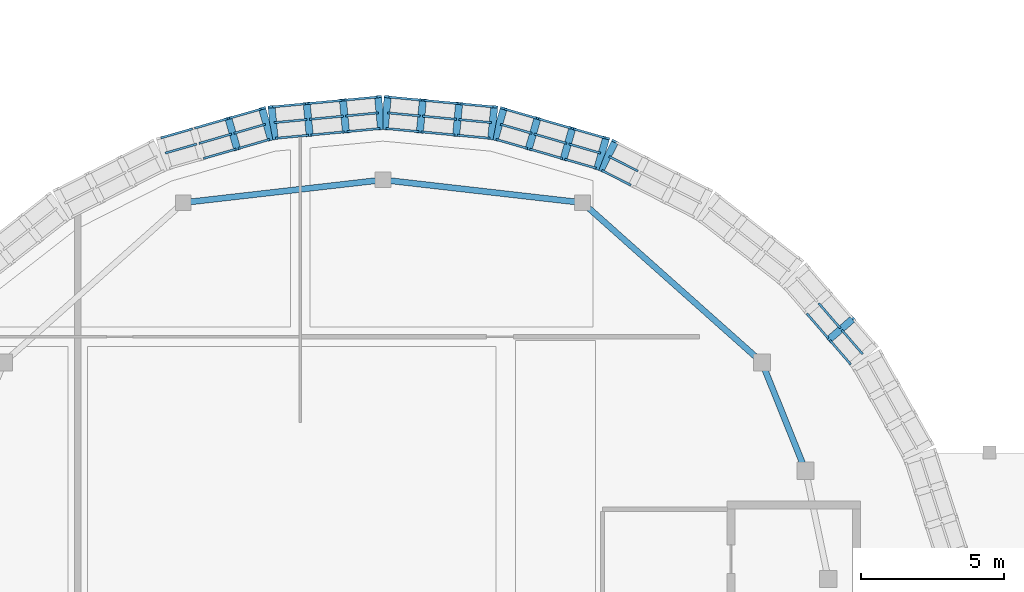
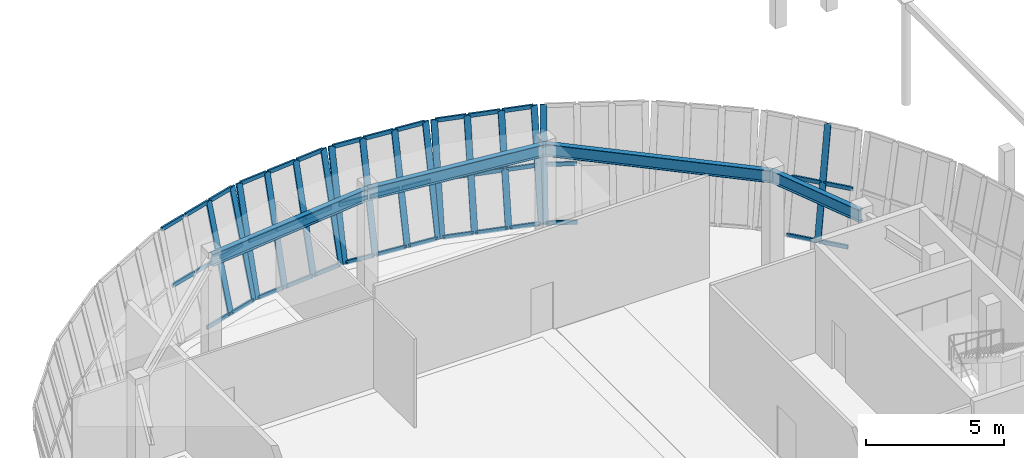
# One storey, part 28 of 120: 57 members, 4 beams, 6 elements without a shape of their own.
"""IFC4 building model written with IfcOpenShell, lengths in metres."""

from ifc_helpers import new_model, si_unit, direction, frame, origin, origin_2d, place, context, subcontext, project, spatial, rectangle, i_section, extrude, material, material_profile, profile_set, type_object, element, aggregate, save


model = new_model("IFC4")

# Units and contexts
model_context = context("Model", 3, precision=1e-05, world=origin(), true_north=direction((0.0, 1.0)))
body_context = subcontext(model_context, "Body", "Model", "MODEL_VIEW")
ifc_project = project(units=[si_unit("LENGTHUNIT", "METRE"), si_unit("AREAUNIT", "SQUARE_METRE"), si_unit("VOLUMEUNIT", "CUBIC_METRE"), si_unit("PLANEANGLEUNIT", "RADIAN"), si_unit("MASSUNIT", "GRAM", prefix="KILO")], contexts=[model_context])

# Site, building, storey
site_placement = place(None, origin())
site = spatial("IfcSite", under=ifc_project, at=site_placement, CompositionType="ELEMENT")
building_placement = place(site_placement, origin())
building = spatial("IfcBuilding", under=site, at=building_placement, Name="Corveleigh Park Community Centre", CompositionType="ELEMENT")
storey_placement = place(building_placement, origin())
storey = spatial("IfcBuildingStorey", under=building, at=storey_placement, Name="L00", CompositionType="ELEMENT", Elevation=0.0)

# Beams
ifc_material_1 = material(Name="Steel S355", Category="steel")
ifc_material_profile_1 = material_profile(ifc_material_1, i_section(OverallWidth=0.210693359375, OverallDepth=0.53955078125, WebThickness=0.01171875, FlangeThickness=0.018798828125, at=origin_2d()), Name="UKB 533x210x109", Category="steel")
ifc_profile_set_1 = profile_set([ifc_material_profile_1], Name="Steel S355")
beam_type = type_object("IfcBeamType", Name="BM-STL-UKB533x109", PredefinedType="BEAM", material=ifc_profile_set_1)
beam_1_placement = place(storey_placement, frame((45.817138671875, 34.404541015625, 4.2421875), z_axis=(-0.373254520888, 0.927728981242, 0.0), x_axis=(-0.927728981242, -0.373254520888, 0.0)))
element("IfcBeam", 1, at=beam_1_placement, inside=storey, type_object=beam_type, Name="V1 Drum Ring Girder", PredefinedType="BEAM", context=body_context, shape_type="SweptSolid", body=[
    extrude(i_section(OverallWidth=0.210693359375, OverallDepth=0.53955078125, WebThickness=0.01171875, FlangeThickness=0.018798828125, at=origin_2d()), origin(), (0.0, 0.0, 1.0), 4.086181640625),
])
beam_2_placement = place(storey_placement, frame((44.286376953125, 38.203369140625, 4.2421875), z_axis=(-0.746899880609, 0.664936514523, 0.0), x_axis=(-0.664936514523, -0.746899880609, 0.0)))
element("IfcBeam", 2, at=beam_2_placement, inside=storey, type_object=beam_type, Name="V1 Drum Ring Girder", PredefinedType="BEAM", context=body_context, shape_type="SweptSolid", body=[
    extrude(i_section(OverallWidth=0.210693359375, OverallDepth=0.53955078125, WebThickness=0.01171875, FlangeThickness=0.018798828125, at=origin_2d()), origin(), (0.0, 0.0, 1.0), 8.41162109375),
])
for number, where, z_axis, x_axis, name in (
    (3, (37.9951171875, 43.800537109375, 4.2421875), (-0.993533567391, 0.113538761962, 0.0), (-0.113538761962, -0.993533567391, 0.0), "V1 Drum Ring Girder"),
    (4, (30.9951171875, 44.599365234375, 4.2421875), (-0.993533567391, -0.113538761962, 0.0), (0.113538761962, -0.993533567391, 0.0), "V1 Drum Ring Girder"),
):
    element("IfcBeam", number, at=place(storey_placement, frame(where, z_axis=z_axis, x_axis=x_axis)), inside=storey, type_object=beam_type, Name=name, PredefinedType="BEAM", context=body_context, shape_type="SweptSolid", body=[
        extrude(i_section(OverallWidth=0.210693359375, OverallDepth=0.53955078125, WebThickness=0.01171875, FlangeThickness=0.018798828125, at=origin_2d()), origin(), (0.0, 0.0, 1.0), 7.03564453125),
    ])

# Curtain wall, member
ifc_material_2 = material(Name="Anodised aluminium 6063-T6", Category="aluminium")
curtain_wall_type = type_object("IfcCurtainWallType", Name="CW-SYS-V1-L00", PredefinedType="NOTDEFINED", material=ifc_material_2)
curtain_wall_1_placement = place(storey_placement, origin())
curtain_wall_1 = element("IfcCurtainWall", 5, at=curtain_wall_1_placement, inside=storey, type_object=curtain_wall_type, Name="Main Hall Flared Drum CW 4", PredefinedType="NOTDEFINED")
ifc_material_profile_2 = material_profile(ifc_material_2, rectangle(XDim=0.080078125, YDim=0.25, at=origin_2d()), Name="ALU-M80x250", Category="aluminium")
ifc_profile_set_2 = profile_set([ifc_material_profile_2], Name="Anodised aluminium 6063-T6")
member_type_1 = type_object("IfcMemberType", Name="CWM-80x250", PredefinedType="MULLION", material=ifc_profile_set_2)
member_1_placement = place(storey_placement, frame((46.63671875, 39.001220703125, 0.0), z_axis=(0.183022072182, 0.158241114618, 0.970289993115), x_axis=(-0.733987338895, -0.634606379641, 0.241944888893)))
member_1 = element("IfcMember", 6, at=member_1_placement, type_object=member_type_1, Name="CW01 mullion 2", PredefinedType="MULLION", context=body_context, shape_type="SweptSolid", body=[
    extrude(rectangle(XDim=0.080078125, YDim=0.25, at=origin_2d()), origin(), (0.0, 0.0, 1.0), 4.650146484375),
])

curtain_wall_2_placement = place(storey_placement, origin())
curtain_wall_2 = element("IfcCurtainWall", 7, at=curtain_wall_2_placement, inside=storey, type_object=curtain_wall_type, Name="Main Hall Flared Drum CW 6", PredefinedType="NOTDEFINED")
member_2_placement = place(storey_placement, frame((38.634765625, 44.93994140625, 0.0), z_axis=(0.10946752743, 0.215732407774, 0.970297062077), x_axis=(-0.439060599847, -0.865275781665, 0.241916537933)))
member_2 = element("IfcMember", 8, at=member_2_placement, type_object=member_type_1, Name="CW01 mullion 4", PredefinedType="MULLION", context=body_context, shape_type="SweptSolid", body=[
    extrude(rectangle(XDim=0.080078125, YDim=0.25, at=origin_2d()), origin(), (0.0, 0.0, 1.0), 4.650146484375),
])

# Curtain wall, members
curtain_wall_3_placement = place(storey_placement, origin())
curtain_wall_3 = element("IfcCurtainWall", 9, at=curtain_wall_3_placement, inside=storey, type_object=curtain_wall_type, Name="Main Hall Flared Drum CW 7", PredefinedType="NOTDEFINED")
member_3_placement = place(storey_placement, frame((38.5146484375, 44.987060546875, 0.0), z_axis=(0.066940417208, 0.232480131291, 0.97029478464), x_axis=(-0.268478897217, -0.932411417159, 0.241925672265)))
member_3 = element("IfcMember", 10, at=member_3_placement, type_object=member_type_1, Name="CW01 mullion 1", PredefinedType="MULLION", context=body_context, shape_type="SweptSolid", body=[
    extrude(rectangle(XDim=0.080078125, YDim=0.25, at=origin_2d()), origin(), (0.0, 0.0, 1.0), 4.650146484375),
])
member_4_placement = place(storey_placement, frame((37.3310546875, 45.327880859375, 0.0), z_axis=(0.066940417208, 0.232480131291, 0.97029478464), x_axis=(-0.268478897217, -0.932411417159, 0.241925672265)))
member_4 = element("IfcMember", 11, at=member_4_placement, type_object=member_type_1, Name="CW01 mullion 2", PredefinedType="MULLION", context=body_context, shape_type="SweptSolid", body=[
    extrude(rectangle(XDim=0.080078125, YDim=0.25, at=origin_2d()), origin(), (0.0, 0.0, 1.0), 4.650146484375),
])
member_5_placement = place(storey_placement, frame((36.10888671875, 45.679931640625, 0.0), z_axis=(0.066992683956, 0.232479313917, 0.970291373195), x_axis=(-0.268672384983, -0.932352132214, 0.241939354184)))
member_5 = element("IfcMember", 12, at=member_5_placement, type_object=member_type_1, Name="CW01 mullion 3", PredefinedType="MULLION", context=body_context, shape_type="SweptSolid", body=[
    extrude(rectangle(XDim=0.080078125, YDim=0.25, at=origin_2d()), origin(), (0.0, 0.0, 1.0), 4.650146484375),
])
member_6_placement = place(storey_placement, frame((34.925537109375, 46.02099609375, 0.0), z_axis=(0.066940417208, 0.232480131291, 0.97029478464), x_axis=(-0.268478897217, -0.932411417159, 0.241925672265)))
member_6 = element("IfcMember", 13, at=member_6_placement, type_object=member_type_1, Name="CW01 mullion 4", PredefinedType="MULLION", context=body_context, shape_type="SweptSolid", body=[
    extrude(rectangle(XDim=0.080078125, YDim=0.25, at=origin_2d()), origin(), (0.0, 0.0, 1.0), 4.650146484375),
])

curtain_wall_4_placement = place(storey_placement, origin())
curtain_wall_4 = element("IfcCurtainWall", 14, at=curtain_wall_4_placement, inside=storey, type_object=curtain_wall_type, Name="Main Hall Flared Drum CW 8", PredefinedType="NOTDEFINED")
member_7_placement = place(storey_placement, frame((34.798095703125, 46.044677734375, 0.0), z_axis=(0.022575926746, 0.240879888168, 0.970292330696), x_axis=(-0.090541682812, -0.966058699397, 0.24193551412)))
member_7 = element("IfcMember", 15, at=member_7_placement, type_object=member_type_1, Name="CW01 mullion 1", PredefinedType="MULLION", context=body_context, shape_type="SweptSolid", body=[
    extrude(rectangle(XDim=0.080078125, YDim=0.25, at=origin_2d()), origin(), (0.0, 0.0, 1.0), 4.650146484375),
])
member_8_placement = place(storey_placement, frame((33.56689453125, 46.159912109375, 0.0), z_axis=(0.022575926746, 0.240879888168, 0.970292330696), x_axis=(-0.090541682812, -0.966058699397, 0.24193551412)))
member_8 = element("IfcMember", 16, at=member_8_placement, type_object=member_type_1, Name="CW01 mullion 2", PredefinedType="MULLION", context=body_context, shape_type="SweptSolid", body=[
    extrude(rectangle(XDim=0.080078125, YDim=0.25, at=origin_2d()), origin(), (0.0, 0.0, 1.0), 4.650146484375),
])
member_9_placement = place(storey_placement, frame((32.2958984375, 46.279052734375, 0.0), z_axis=(0.022575926746, 0.240879888168, 0.970292330696), x_axis=(-0.090541682812, -0.966058699397, 0.24193551412)))
member_9 = element("IfcMember", 17, at=member_9_placement, type_object=member_type_1, Name="CW01 mullion 3", PredefinedType="MULLION", context=body_context, shape_type="SweptSolid", body=[
    extrude(rectangle(XDim=0.080078125, YDim=0.25, at=origin_2d()), origin(), (0.0, 0.0, 1.0), 4.650146484375),
])
member_10_placement = place(storey_placement, frame((31.06494140625, 46.394287109375, 0.0), z_axis=(0.022523451257, 0.240880173348, 0.970293479434), x_axis=(-0.090333054832, -0.96607938361, 0.241930907014)))
member_10 = element("IfcMember", 18, at=member_10_placement, type_object=member_type_1, Name="CW01 mullion 4", PredefinedType="MULLION", context=body_context, shape_type="SweptSolid", body=[
    extrude(rectangle(XDim=0.080078125, YDim=0.25, at=origin_2d()), origin(), (0.0, 0.0, 1.0), 4.650146484375),
])

curtain_wall_5_placement = place(storey_placement, origin())
curtain_wall_5 = element("IfcCurtainWall", 19, at=curtain_wall_5_placement, inside=storey, type_object=curtain_wall_type, Name="Main Hall Flared Drum CW 9", PredefinedType="NOTDEFINED")
member_11_placement = place(storey_placement, frame((30.93505859375, 46.394287109375, 0.0), z_axis=(-0.022523451257, 0.240880173348, 0.970293479434), x_axis=(0.090333054832, -0.96607938361, 0.241930907014)))
member_11 = element("IfcMember", 20, at=member_11_placement, type_object=member_type_1, Name="CW01 mullion 1", PredefinedType="MULLION", context=body_context, shape_type="SweptSolid", body=[
    extrude(rectangle(XDim=0.080078125, YDim=0.25, at=origin_2d()), origin(), (0.0, 0.0, 1.0), 4.650146484375),
])
member_12_placement = place(storey_placement, frame((29.7041015625, 46.279052734375, 0.0), z_axis=(-0.022575926746, 0.240879888168, 0.970292330696), x_axis=(0.090541682812, -0.966058699397, 0.24193551412)))
member_12 = element("IfcMember", 21, at=member_12_placement, type_object=member_type_1, Name="CW01 mullion 2", PredefinedType="MULLION", context=body_context, shape_type="SweptSolid", body=[
    extrude(rectangle(XDim=0.080078125, YDim=0.25, at=origin_2d()), origin(), (0.0, 0.0, 1.0), 4.650146484375),
])
member_13_placement = place(storey_placement, frame((28.43310546875, 46.159912109375, 0.0), z_axis=(-0.022575926746, 0.240879888168, 0.970292330696), x_axis=(0.090541682812, -0.966058699397, 0.24193551412)))
member_13 = element("IfcMember", 22, at=member_13_placement, type_object=member_type_1, Name="CW01 mullion 3", PredefinedType="MULLION", context=body_context, shape_type="SweptSolid", body=[
    extrude(rectangle(XDim=0.080078125, YDim=0.25, at=origin_2d()), origin(), (0.0, 0.0, 1.0), 4.650146484375),
])
member_14_placement = place(storey_placement, frame((27.201904296875, 46.044677734375, 0.0), z_axis=(-0.022575926746, 0.240879888168, 0.970292330696), x_axis=(0.090541682812, -0.966058699397, 0.24193551412)))
member_14 = element("IfcMember", 23, at=member_14_placement, type_object=member_type_1, Name="CW01 mullion 4", PredefinedType="MULLION", context=body_context, shape_type="SweptSolid", body=[
    extrude(rectangle(XDim=0.080078125, YDim=0.25, at=origin_2d()), origin(), (0.0, 0.0, 1.0), 4.650146484375),
])

curtain_wall_6_placement = place(storey_placement, origin())
curtain_wall_6 = element("IfcCurtainWall", 24, at=curtain_wall_6_placement, inside=storey, type_object=curtain_wall_type, Name="Main Hall Flared Drum CW 10", PredefinedType="NOTDEFINED")
member_15_placement = place(storey_placement, frame((27.074462890625, 46.02099609375, 0.0), z_axis=(-0.066940417208, 0.232480131291, 0.97029478464), x_axis=(0.268478897217, -0.932411417159, 0.241925672265)))
member_15 = element("IfcMember", 25, at=member_15_placement, type_object=member_type_1, Name="CW01 mullion 1", PredefinedType="MULLION", context=body_context, shape_type="SweptSolid", body=[
    extrude(rectangle(XDim=0.080078125, YDim=0.25, at=origin_2d()), origin(), (0.0, 0.0, 1.0), 4.650146484375),
])
member_16_placement = place(storey_placement, frame((25.89111328125, 45.679931640625, 0.0), z_axis=(-0.066992683956, 0.232479313917, 0.970291373195), x_axis=(0.268672384983, -0.932352132214, 0.241939354184)))
member_16 = element("IfcMember", 26, at=member_16_placement, type_object=member_type_1, Name="CW01 mullion 2", PredefinedType="MULLION", context=body_context, shape_type="SweptSolid", body=[
    extrude(rectangle(XDim=0.080078125, YDim=0.25, at=origin_2d()), origin(), (0.0, 0.0, 1.0), 4.650146484375),
])

# Member
ifc_material_profile_3 = material_profile(ifc_material_2, rectangle(XDim=0.074951171875, YDim=0.175048828125, at=origin_2d()), Name="ALU-T75x175", Category="aluminium")
ifc_profile_set_3 = profile_set([ifc_material_profile_3], Name="Anodised aluminium 6063-T6")
member_type_2 = type_object("IfcMemberType", Name="CWT-75x175", PredefinedType="USERDEFINED", material=ifc_profile_set_3)
member_17_placement = place(storey_placement, frame((47.40087890625, 38.131591796875, 0.03759765625), z_axis=(-0.653915512177, 0.756567579886, 0.0), x_axis=(-0.756567579886, -0.653915512177, 0.0)))
member_17 = element("IfcMember", 27, at=member_17_placement, type_object=member_type_2, Name="CW01 transom 1.1", ObjectType="TRANSOM", PredefinedType="USERDEFINED", context=body_context, shape_type="SweptSolid", body=[
    extrude(rectangle(XDim=0.074951171875, YDim=0.175048828125, at=origin_2d()), origin(), (0.0, 0.0, 1.0), 1.117919921875),
])

member_18_placement = place(storey_placement, frame((47.818115234375, 38.492431640625, 2.25), z_axis=(-0.654023576954, 0.756474163992, 0.0), x_axis=(-0.756474163992, -0.654023576954, 0.0)))
member_18 = element("IfcMember", 28, at=member_18_placement, type_object=member_type_2, Name="CW01 transom 1.2", ObjectType="TRANSOM", PredefinedType="USERDEFINED", context=body_context, shape_type="SweptSolid", body=[
    extrude(rectangle(XDim=0.074951171875, YDim=0.175048828125, at=origin_2d()), origin(), (0.0, 0.0, 1.0), 1.11767578125),
])

member_19_placement = place(storey_placement, frame((46.61767578125, 39.03759765625, 0.03759765625), z_axis=(-0.653894326994, 0.756585890118, 0.0), x_axis=(-0.756585890118, -0.653894326994, 0.0)))
member_19 = element("IfcMember", 29, at=member_19_placement, type_object=member_type_2, Name="CW01 transom 2.1", ObjectType="TRANSOM", PredefinedType="USERDEFINED", context=body_context, shape_type="SweptSolid", body=[
    extrude(rectangle(XDim=0.074951171875, YDim=0.175048828125, at=origin_2d()), origin(), (0.0, 0.0, 1.0), 1.15771484375),
])

member_20_placement = place(storey_placement, frame((47.034912109375, 39.3984375, 2.25), z_axis=(-0.65399865839, 0.756495707076, 0.0), x_axis=(-0.756495707076, -0.65399865839, 0.0)))
member_20 = element("IfcMember", 30, at=member_20_placement, type_object=member_type_2, Name="CW01 transom 2.2", ObjectType="TRANSOM", PredefinedType="USERDEFINED", context=body_context, shape_type="SweptSolid", body=[
    extrude(rectangle(XDim=0.074951171875, YDim=0.175048828125, at=origin_2d()), origin(), (0.0, 0.0, 1.0), 1.15771484375),
])

aggregate(curtain_wall_1, [member_1, member_17, member_18, member_19, member_20])

member_21_placement = place(storey_placement, frame((39.69384765625, 44.412841796875, 0.03759765625), z_axis=(-0.89171981789, 0.452587854877, 0.0), x_axis=(-0.452587854877, -0.89171981789, 0.0)))
member_21 = element("IfcMember", 31, at=member_21_placement, type_object=member_type_2, Name="CW01 transom 3.1", ObjectType="TRANSOM", PredefinedType="USERDEFINED", context=body_context, shape_type="SweptSolid", body=[
    extrude(rectangle(XDim=0.074951171875, YDim=0.175048828125, at=origin_2d()), origin(), (0.0, 0.0, 1.0), 1.14306640625),
])

member_22_placement = place(storey_placement, frame((39.943603515625, 44.90478515625, 2.25), z_axis=(-0.89171981789, 0.452587854877, 0.0), x_axis=(-0.452587854877, -0.89171981789, 0.0)))
member_22 = element("IfcMember", 32, at=member_22_placement, type_object=member_type_2, Name="CW01 transom 3.2", ObjectType="TRANSOM", PredefinedType="USERDEFINED", context=body_context, shape_type="SweptSolid", body=[
    extrude(rectangle(XDim=0.074951171875, YDim=0.175048828125, at=origin_2d()), origin(), (0.0, 0.0, 1.0), 1.14306640625),
])

aggregate(curtain_wall_2, [member_2, member_21, member_22])

member_23_placement = place(storey_placement, frame((38.478759765625, 45.007080078125, 0.03759765625), z_axis=(-0.96091364535, 0.27684827285, 0.0), x_axis=(-0.27684827285, -0.96091364535, 0.0)))
member_23 = element("IfcMember", 33, at=member_23_placement, type_object=member_type_2, Name="CW01 transom 1.1", ObjectType="TRANSOM", PredefinedType="USERDEFINED", context=body_context, shape_type="SweptSolid", body=[
    extrude(rectangle(XDim=0.074951171875, YDim=0.175048828125, at=origin_2d()), origin(), (0.0, 0.0, 1.0), 1.151611328125),
])

member_24_placement = place(storey_placement, frame((38.63134765625, 45.537109375, 2.25), z_axis=(-0.96091364535, 0.27684827285, 0.0), x_axis=(-0.27684827285, -0.96091364535, 0.0)))
member_24 = element("IfcMember", 34, at=member_24_placement, type_object=member_type_2, Name="CW01 transom 1.2", ObjectType="TRANSOM", PredefinedType="USERDEFINED", context=body_context, shape_type="SweptSolid", body=[
    extrude(rectangle(XDim=0.074951171875, YDim=0.175048828125, at=origin_2d()), origin(), (0.0, 0.0, 1.0), 1.151611328125),
])

member_25_placement = place(storey_placement, frame((38.784912109375, 46.0703125, 4.474609375), z_axis=(-0.960970021672, 0.27665252113, 0.0), x_axis=(-0.27665252113, -0.960970021672, 0.0)))
member_25 = element("IfcMember", 35, at=member_25_placement, type_object=member_type_2, Name="CW01 transom 1.3", ObjectType="TRANSOM", PredefinedType="USERDEFINED", context=body_context, shape_type="SweptSolid", body=[
    extrude(rectangle(XDim=0.074951171875, YDim=0.175048828125, at=origin_2d()), origin(), (0.0, 0.0, 1.0), 1.151611328125),
])

member_26_placement = place(storey_placement, frame((37.295166015625, 45.34814453125, 0.03759765625), z_axis=(-0.960926353962, 0.276804158679, 0.0), x_axis=(-0.276804158679, -0.960926353962, 0.0)))
member_26 = element("IfcMember", 36, at=member_26_placement, type_object=member_type_2, Name="CW01 transom 2.1", ObjectType="TRANSOM", PredefinedType="USERDEFINED", context=body_context, shape_type="SweptSolid", body=[
    extrude(rectangle(XDim=0.074951171875, YDim=0.175048828125, at=origin_2d()), origin(), (0.0, 0.0, 1.0), 1.191650390625),
])

member_27_placement = place(storey_placement, frame((37.44775390625, 45.878173828125, 2.25), z_axis=(-0.960926353962, 0.276804158679, 0.0), x_axis=(-0.276804158679, -0.960926353962, 0.0)))
member_27 = element("IfcMember", 37, at=member_27_placement, type_object=member_type_2, Name="CW01 transom 2.2", ObjectType="TRANSOM", PredefinedType="USERDEFINED", context=body_context, shape_type="SweptSolid", body=[
    extrude(rectangle(XDim=0.074951171875, YDim=0.175048828125, at=origin_2d()), origin(), (0.0, 0.0, 1.0), 1.191650390625),
])

member_28_placement = place(storey_placement, frame((37.601318359375, 46.4111328125, 4.474609375), z_axis=(-0.960926353962, 0.276804158679, 0.0), x_axis=(-0.276804158679, -0.960926353962, 0.0)))
member_28 = element("IfcMember", 38, at=member_28_placement, type_object=member_type_2, Name="CW01 transom 2.3", ObjectType="TRANSOM", PredefinedType="USERDEFINED", context=body_context, shape_type="SweptSolid", body=[
    extrude(rectangle(XDim=0.074951171875, YDim=0.175048828125, at=origin_2d()), origin(), (0.0, 0.0, 1.0), 1.191650390625),
])

member_29_placement = place(storey_placement, frame((36.0732421875, 45.699951171875, 0.03759765625), z_axis=(-0.96091364535, 0.27684827285, 0.0), x_axis=(-0.27684827285, -0.96091364535, 0.0)))
member_29 = element("IfcMember", 39, at=member_29_placement, type_object=member_type_2, Name="CW01 transom 3.1", ObjectType="TRANSOM", PredefinedType="USERDEFINED", context=body_context, shape_type="SweptSolid", body=[
    extrude(rectangle(XDim=0.074951171875, YDim=0.175048828125, at=origin_2d()), origin(), (0.0, 0.0, 1.0), 1.151611328125),
])

member_30_placement = place(storey_placement, frame((36.225830078125, 46.230224609375, 2.25), z_axis=(-0.960970021672, 0.27665252113, 0.0), x_axis=(-0.27665252113, -0.960970021672, 0.0)))
member_30 = element("IfcMember", 40, at=member_30_placement, type_object=member_type_2, Name="CW01 transom 3.2", ObjectType="TRANSOM", PredefinedType="USERDEFINED", context=body_context, shape_type="SweptSolid", body=[
    extrude(rectangle(XDim=0.074951171875, YDim=0.175048828125, at=origin_2d()), origin(), (0.0, 0.0, 1.0), 1.151611328125),
])

member_31_placement = place(storey_placement, frame((36.37939453125, 46.76318359375, 4.474609375), z_axis=(-0.96091364535, 0.27684827285, 0.0), x_axis=(-0.27684827285, -0.96091364535, 0.0)))
member_31 = element("IfcMember", 41, at=member_31_placement, type_object=member_type_2, Name="CW01 transom 3.3", ObjectType="TRANSOM", PredefinedType="USERDEFINED", context=body_context, shape_type="SweptSolid", body=[
    extrude(rectangle(XDim=0.074951171875, YDim=0.175048828125, at=origin_2d()), origin(), (0.0, 0.0, 1.0), 1.151611328125),
])

aggregate(curtain_wall_3, [member_3, member_4, member_5, member_6, member_23, member_24, member_25, member_26, member_27, member_28, member_29, member_30, member_31])

member_32_placement = place(storey_placement, frame((34.75927734375, 46.057861328125, 0.03759765625), z_axis=(-0.995658100666, 0.093085694805, 0.0), x_axis=(-0.093085694805, -0.995658100666, 0.0)))
member_32 = element("IfcMember", 42, at=member_32_placement, type_object=member_type_2, Name="CW01 transom 1.1", ObjectType="TRANSOM", PredefinedType="USERDEFINED", context=body_context, shape_type="SweptSolid", body=[
    extrude(rectangle(XDim=0.074951171875, YDim=0.175048828125, at=origin_2d()), origin(), (0.0, 0.0, 1.0), 1.15673828125),
])

member_33_placement = place(storey_placement, frame((34.810546875, 46.60693359375, 2.25), z_axis=(-0.99563667821, 0.093314548721, 0.0), x_axis=(-0.093314548721, -0.99563667821, 0.0)))
member_33 = element("IfcMember", 43, at=member_33_placement, type_object=member_type_2, Name="CW01 transom 1.2", ObjectType="TRANSOM", PredefinedType="USERDEFINED", context=body_context, shape_type="SweptSolid", body=[
    extrude(rectangle(XDim=0.074951171875, YDim=0.175048828125, at=origin_2d()), origin(), (0.0, 0.0, 1.0), 1.156494140625),
])

member_34_placement = place(storey_placement, frame((34.8623046875, 47.1591796875, 4.474609375), z_axis=(-0.99563667821, 0.093314548721, 0.0), x_axis=(-0.093314548721, -0.99563667821, 0.0)))
member_34 = element("IfcMember", 44, at=member_34_placement, type_object=member_type_2, Name="CW01 transom 1.3", ObjectType="TRANSOM", PredefinedType="USERDEFINED", context=body_context, shape_type="SweptSolid", body=[
    extrude(rectangle(XDim=0.074951171875, YDim=0.175048828125, at=origin_2d()), origin(), (0.0, 0.0, 1.0), 1.156494140625),
])

member_35_placement = place(storey_placement, frame((33.528076171875, 46.173095703125, 0.03759765625), z_axis=(-0.995643701289, 0.093239584321, 0.0), x_axis=(-0.093239584321, -0.995643701289, 0.0)))
member_35 = element("IfcMember", 45, at=member_35_placement, type_object=member_type_2, Name="CW01 transom 2.1", ObjectType="TRANSOM", PredefinedType="USERDEFINED", context=body_context, shape_type="SweptSolid", body=[
    extrude(rectangle(XDim=0.074951171875, YDim=0.175048828125, at=origin_2d()), origin(), (0.0, 0.0, 1.0), 1.196533203125),
])

member_36_placement = place(storey_placement, frame((33.57958984375, 46.72216796875, 2.25), z_axis=(-0.995643701289, 0.093239584321, 0.0), x_axis=(-0.093239584321, -0.995643701289, 0.0)))
member_36 = element("IfcMember", 46, at=member_36_placement, type_object=member_type_2, Name="CW01 transom 2.2", ObjectType="TRANSOM", PredefinedType="USERDEFINED", context=body_context, shape_type="SweptSolid", body=[
    extrude(rectangle(XDim=0.074951171875, YDim=0.175048828125, at=origin_2d()), origin(), (0.0, 0.0, 1.0), 1.196533203125),
])

member_37_placement = place(storey_placement, frame((33.631103515625, 47.2744140625, 4.474609375), z_axis=(-0.995641927029, 0.093258528521, 0.0), x_axis=(-0.093258528521, -0.995641927029, 0.0)))
member_37 = element("IfcMember", 47, at=member_37_placement, type_object=member_type_2, Name="CW01 transom 2.3", ObjectType="TRANSOM", PredefinedType="USERDEFINED", context=body_context, shape_type="SweptSolid", body=[
    extrude(rectangle(XDim=0.074951171875, YDim=0.175048828125, at=origin_2d()), origin(), (0.0, 0.0, 1.0), 1.1962890625),
])

member_38_placement = place(storey_placement, frame((32.257080078125, 46.2919921875, 0.03759765625), z_axis=(-0.99563851597, 0.093294938321, 0.0), x_axis=(-0.093294938321, -0.99563851597, 0.0)))
member_38 = element("IfcMember", 48, at=member_38_placement, type_object=member_type_2, Name="CW01 transom 3.1", ObjectType="TRANSOM", PredefinedType="USERDEFINED", context=body_context, shape_type="SweptSolid", body=[
    extrude(rectangle(XDim=0.074951171875, YDim=0.175048828125, at=origin_2d()), origin(), (0.0, 0.0, 1.0), 1.15673828125),
])

member_39_placement = place(storey_placement, frame((32.308349609375, 46.84130859375, 2.25), z_axis=(-0.99563667821, 0.093314548721, 0.0), x_axis=(-0.093314548721, -0.99563667821, 0.0)))
member_39 = element("IfcMember", 49, at=member_39_placement, type_object=member_type_2, Name="CW01 transom 3.2", ObjectType="TRANSOM", PredefinedType="USERDEFINED", context=body_context, shape_type="SweptSolid", body=[
    extrude(rectangle(XDim=0.074951171875, YDim=0.175048828125, at=origin_2d()), origin(), (0.0, 0.0, 1.0), 1.156494140625),
])

member_40_placement = place(storey_placement, frame((32.360107421875, 47.3935546875, 4.474609375), z_axis=(-0.995656271104, 0.093105261993, 0.0), x_axis=(-0.093105261993, -0.995656271104, 0.0)))
member_40 = element("IfcMember", 50, at=member_40_placement, type_object=member_type_2, Name="CW01 transom 3.3", ObjectType="TRANSOM", PredefinedType="USERDEFINED", context=body_context, shape_type="SweptSolid", body=[
    extrude(rectangle(XDim=0.074951171875, YDim=0.175048828125, at=origin_2d()), origin(), (0.0, 0.0, 1.0), 1.156494140625),
])

aggregate(curtain_wall_4, [member_7, member_8, member_9, member_10, member_32, member_33, member_34, member_35, member_36, member_37, member_38, member_39, member_40])

member_41_placement = place(storey_placement, frame((30.89453125, 46.39990234375, 0.03759765625), z_axis=(-0.99563851597, -0.093294938321, 0.0), x_axis=(0.093294938321, -0.99563851597, 0.0)))
member_41 = element("IfcMember", 51, at=member_41_placement, type_object=member_type_2, Name="CW01 transom 1.1", ObjectType="TRANSOM", PredefinedType="USERDEFINED", context=body_context, shape_type="SweptSolid", body=[
    extrude(rectangle(XDim=0.074951171875, YDim=0.175048828125, at=origin_2d()), origin(), (0.0, 0.0, 1.0), 1.15673828125),
])

member_42_placement = place(storey_placement, frame((30.843017578125, 46.94921875, 2.25), z_axis=(-0.99563667821, -0.093314548721, 0.0), x_axis=(0.093314548721, -0.99563667821, 0.0)))
member_42 = element("IfcMember", 52, at=member_42_placement, type_object=member_type_2, Name="CW01 transom 1.2", ObjectType="TRANSOM", PredefinedType="USERDEFINED", context=body_context, shape_type="SweptSolid", body=[
    extrude(rectangle(XDim=0.074951171875, YDim=0.175048828125, at=origin_2d()), origin(), (0.0, 0.0, 1.0), 1.156494140625),
])

member_43_placement = place(storey_placement, frame((30.791259765625, 47.501220703125, 4.474609375), z_axis=(-0.995656271104, -0.093105261993, 0.0), x_axis=(0.093105261993, -0.995656271104, 0.0)))
member_43 = element("IfcMember", 53, at=member_43_placement, type_object=member_type_2, Name="CW01 transom 1.3", ObjectType="TRANSOM", PredefinedType="USERDEFINED", context=body_context, shape_type="SweptSolid", body=[
    extrude(rectangle(XDim=0.074951171875, YDim=0.175048828125, at=origin_2d()), origin(), (0.0, 0.0, 1.0), 1.156494140625),
])

member_44_placement = place(storey_placement, frame((29.663330078125, 46.28466796875, 0.03759765625), z_axis=(-0.995643701289, -0.093239584321, 0.0), x_axis=(0.093239584321, -0.995643701289, 0.0)))
member_44 = element("IfcMember", 54, at=member_44_placement, type_object=member_type_2, Name="CW01 transom 2.1", ObjectType="TRANSOM", PredefinedType="USERDEFINED", context=body_context, shape_type="SweptSolid", body=[
    extrude(rectangle(XDim=0.074951171875, YDim=0.175048828125, at=origin_2d()), origin(), (0.0, 0.0, 1.0), 1.196533203125),
])

member_45_placement = place(storey_placement, frame((29.61181640625, 46.833740234375, 2.25), z_axis=(-0.995643701289, -0.093239584321, 0.0), x_axis=(0.093239584321, -0.995643701289, 0.0)))
member_45 = element("IfcMember", 55, at=member_45_placement, type_object=member_type_2, Name="CW01 transom 2.2", ObjectType="TRANSOM", PredefinedType="USERDEFINED", context=body_context, shape_type="SweptSolid", body=[
    extrude(rectangle(XDim=0.074951171875, YDim=0.175048828125, at=origin_2d()), origin(), (0.0, 0.0, 1.0), 1.196533203125),
])

member_46_placement = place(storey_placement, frame((29.56005859375, 47.385986328125, 4.474609375), z_axis=(-0.995641927029, -0.093258528521, 0.0), x_axis=(0.093258528521, -0.995641927029, 0.0)))
member_46 = element("IfcMember", 56, at=member_46_placement, type_object=member_type_2, Name="CW01 transom 2.3", ObjectType="TRANSOM", PredefinedType="USERDEFINED", context=body_context, shape_type="SweptSolid", body=[
    extrude(rectangle(XDim=0.074951171875, YDim=0.175048828125, at=origin_2d()), origin(), (0.0, 0.0, 1.0), 1.1962890625),
])

member_47_placement = place(storey_placement, frame((28.392333984375, 46.16552734375, 0.03759765625), z_axis=(-0.995658100666, -0.093085694805, 0.0), x_axis=(0.093085694805, -0.995658100666, 0.0)))
member_47 = element("IfcMember", 57, at=member_47_placement, type_object=member_type_2, Name="CW01 transom 3.1", ObjectType="TRANSOM", PredefinedType="USERDEFINED", context=body_context, shape_type="SweptSolid", body=[
    extrude(rectangle(XDim=0.074951171875, YDim=0.175048828125, at=origin_2d()), origin(), (0.0, 0.0, 1.0), 1.15673828125),
])

member_48_placement = place(storey_placement, frame((28.3408203125, 46.71484375, 2.25), z_axis=(-0.99563667821, -0.093314548721, 0.0), x_axis=(0.093314548721, -0.99563667821, 0.0)))
member_48 = element("IfcMember", 58, at=member_48_placement, type_object=member_type_2, Name="CW01 transom 3.2", ObjectType="TRANSOM", PredefinedType="USERDEFINED", context=body_context, shape_type="SweptSolid", body=[
    extrude(rectangle(XDim=0.074951171875, YDim=0.175048828125, at=origin_2d()), origin(), (0.0, 0.0, 1.0), 1.156494140625),
])

member_49_placement = place(storey_placement, frame((28.2890625, 47.26708984375, 4.474609375), z_axis=(-0.99563667821, -0.093314548721, 0.0), x_axis=(0.093314548721, -0.99563667821, 0.0)))
member_49 = element("IfcMember", 59, at=member_49_placement, type_object=member_type_2, Name="CW01 transom 3.3", ObjectType="TRANSOM", PredefinedType="USERDEFINED", context=body_context, shape_type="SweptSolid", body=[
    extrude(rectangle(XDim=0.074951171875, YDim=0.175048828125, at=origin_2d()), origin(), (0.0, 0.0, 1.0), 1.156494140625),
])

aggregate(curtain_wall_5, [member_11, member_12, member_13, member_14, member_41, member_42, member_43, member_44, member_45, member_46, member_47, member_48, member_49])

member_50_placement = place(storey_placement, frame((27.033447265625, 46.018798828125, 0.03759765625), z_axis=(-0.96091364535, -0.27684827285, 0.0), x_axis=(0.27684827285, -0.96091364535, 0.0)))
member_50 = element("IfcMember", 60, at=member_50_placement, type_object=member_type_2, Name="CW01 transom 1.1", ObjectType="TRANSOM", PredefinedType="USERDEFINED", context=body_context, shape_type="SweptSolid", body=[
    extrude(rectangle(XDim=0.074951171875, YDim=0.175048828125, at=origin_2d()), origin(), (0.0, 0.0, 1.0), 1.151611328125),
])

member_51_placement = place(storey_placement, frame((26.880859375, 46.548828125, 2.25), z_axis=(-0.960970021672, -0.27665252113, 0.0), x_axis=(0.27665252113, -0.960970021672, 0.0)))
member_51 = element("IfcMember", 61, at=member_51_placement, type_object=member_type_2, Name="CW01 transom 1.2", ObjectType="TRANSOM", PredefinedType="USERDEFINED", context=body_context, shape_type="SweptSolid", body=[
    extrude(rectangle(XDim=0.074951171875, YDim=0.175048828125, at=origin_2d()), origin(), (0.0, 0.0, 1.0), 1.151611328125),
])

member_52_placement = place(storey_placement, frame((26.727294921875, 47.08203125, 4.474609375), z_axis=(-0.96091364535, -0.27684827285, 0.0), x_axis=(0.27684827285, -0.96091364535, 0.0)))
member_52 = element("IfcMember", 62, at=member_52_placement, type_object=member_type_2, Name="CW01 transom 1.3", ObjectType="TRANSOM", PredefinedType="USERDEFINED", context=body_context, shape_type="SweptSolid", body=[
    extrude(rectangle(XDim=0.074951171875, YDim=0.175048828125, at=origin_2d()), origin(), (0.0, 0.0, 1.0), 1.151611328125),
])

member_53_placement = place(storey_placement, frame((25.849853515625, 45.677978515625, 0.03759765625), z_axis=(-0.960926353962, -0.276804158679, 0.0), x_axis=(0.276804158679, -0.960926353962, 0.0)))
member_53 = element("IfcMember", 63, at=member_53_placement, type_object=member_type_2, Name="CW01 transom 2.1", ObjectType="TRANSOM", PredefinedType="USERDEFINED", context=body_context, shape_type="SweptSolid", body=[
    extrude(rectangle(XDim=0.074951171875, YDim=0.175048828125, at=origin_2d()), origin(), (0.0, 0.0, 1.0), 1.191650390625),
])

member_54_placement = place(storey_placement, frame((25.697265625, 46.2080078125, 2.25), z_axis=(-0.960926353962, -0.276804158679, 0.0), x_axis=(0.276804158679, -0.960926353962, 0.0)))
member_54 = element("IfcMember", 64, at=member_54_placement, type_object=member_type_2, Name="CW01 transom 2.2", ObjectType="TRANSOM", PredefinedType="USERDEFINED", context=body_context, shape_type="SweptSolid", body=[
    extrude(rectangle(XDim=0.074951171875, YDim=0.175048828125, at=origin_2d()), origin(), (0.0, 0.0, 1.0), 1.191650390625),
])

member_55_placement = place(storey_placement, frame((25.543701171875, 46.740966796875, 4.474609375), z_axis=(-0.960926353962, -0.276804158679, 0.0), x_axis=(0.276804158679, -0.960926353962, 0.0)))
member_55 = element("IfcMember", 65, at=member_55_placement, type_object=member_type_2, Name="CW01 transom 2.3", ObjectType="TRANSOM", PredefinedType="USERDEFINED", context=body_context, shape_type="SweptSolid", body=[
    extrude(rectangle(XDim=0.074951171875, YDim=0.175048828125, at=origin_2d()), origin(), (0.0, 0.0, 1.0), 1.191650390625),
])

member_56_placement = place(storey_placement, frame((24.475341796875, 45.85595703125, 2.25), z_axis=(-0.96091364535, -0.27684827285, 0.0), x_axis=(0.27684827285, -0.96091364535, 0.0)))
member_56 = element("IfcMember", 66, at=member_56_placement, type_object=member_type_2, Name="CW01 transom 3.2", ObjectType="TRANSOM", PredefinedType="USERDEFINED", context=body_context, shape_type="SweptSolid", body=[
    extrude(rectangle(XDim=0.074951171875, YDim=0.175048828125, at=origin_2d()), origin(), (0.0, 0.0, 1.0), 1.151611328125),
])

member_57_placement = place(storey_placement, frame((24.32177734375, 46.388916015625, 4.474609375), z_axis=(-0.960970021672, -0.27665252113, 0.0), x_axis=(0.27665252113, -0.960970021672, 0.0)))
member_57 = element("IfcMember", 67, at=member_57_placement, type_object=member_type_2, Name="CW01 transom 3.3", ObjectType="TRANSOM", PredefinedType="USERDEFINED", context=body_context, shape_type="SweptSolid", body=[
    extrude(rectangle(XDim=0.074951171875, YDim=0.175048828125, at=origin_2d()), origin(), (0.0, 0.0, 1.0), 1.151611328125),
])

aggregate(curtain_wall_6, [member_15, member_16, member_50, member_51, member_52, member_53, member_54, member_55, member_56, member_57])

save(model, "model.ifc")
